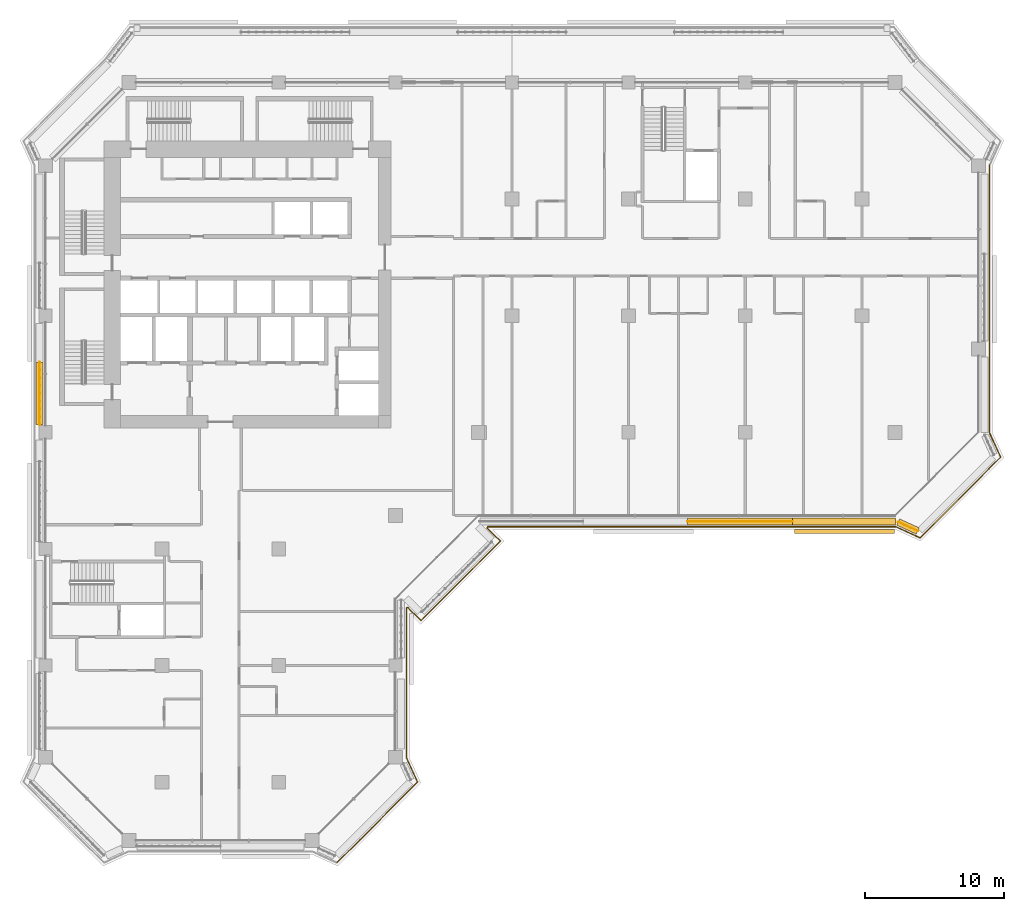
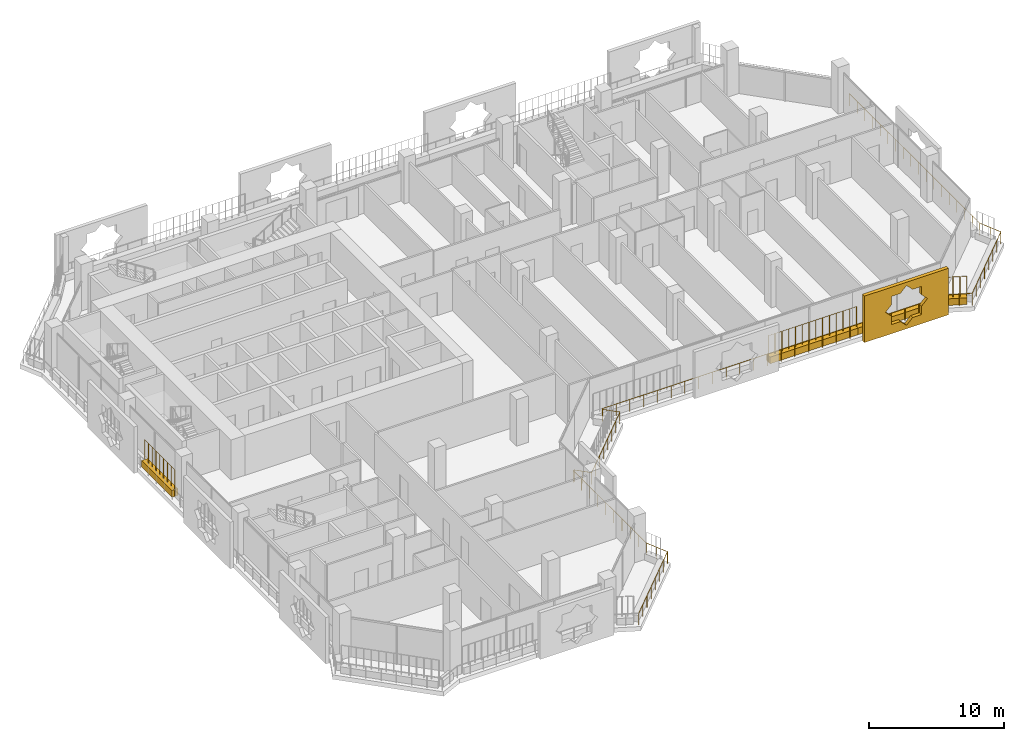
# One storey, part 19 of 22: 5 coverings, 4 railings.
"""IFC4 building model written with IfcOpenShell, lengths in metres."""

from ifc_helpers import new_model, si_unit, direction, frame, origin, origin_2d, place, context, subcontext, project, spatial, polyline, rectangle, circle, outline, extrude, material, material_profile, profile_set, type_object, element, save


model = new_model("IFC4")

# Units and contexts
model_context = context("Model", 3, precision=1e-05, world=origin(), true_north=direction((0.0, 1.0)))
body_context = subcontext(model_context, "Body", "Model", "MODEL_VIEW")
ifc_project = project(units=[si_unit("LENGTHUNIT", "METRE"), si_unit("AREAUNIT", "SQUARE_METRE"), si_unit("VOLUMEUNIT", "CUBIC_METRE"), si_unit("PLANEANGLEUNIT", "RADIAN"), si_unit("MASSUNIT", "GRAM", prefix="KILO")], contexts=[model_context])

# Site, building, storey
site_placement = place(None, origin())
site = spatial("IfcSite", under=ifc_project, at=site_placement, CompositionType="ELEMENT")
building_placement = place(site_placement, origin())
building = spatial("IfcBuilding", under=site, at=building_placement, Name="Kawkab Arch Medical Tower", CompositionType="ELEMENT")
storey_placement = place(building_placement, frame((0.0, 0.0, 196.199951171875)))
storey = spatial("IfcBuildingStorey", under=building, at=storey_placement, Name="L45", CompositionType="ELEMENT", Elevation=196.199951171875)

# Railing
ifc_material_1 = material(Name="Bronze anodised aluminium guard", Category="aluminium")
railing_type_1 = type_object("IfcRailingType", Name="Loggia and terrace guard 1100", PredefinedType="GUARDRAIL", material=ifc_material_1)
railing_1_placement = place(storey_placement, frame((68.0, -5.95703125, 0.0)))
element("IfcRailing", 1, at=railing_1_placement, inside=storey, type_object=railing_type_1, Name="Guard L45.LOG-01.1.2", PredefinedType="GUARDRAIL", context=body_context, shape_type="SweptSolid", body=[
    extrude(circle(Radius=0.02392578125, at=origin_2d()), frame((0.0, 0.0, 1.076171875), z_axis=(0.0, -1.0, 0.0), x_axis=(1.0, 0.0, 0.0)), (0.0, 0.0, 1.0), 19.285888671875),
    extrude(circle(Radius=0.02392578125, at=origin_2d()), frame((0.0, -19.285888671875, 1.076171875), z_axis=(0.414509773934, -0.910044860056, 0.0), x_axis=(0.910044860056, 0.414509773934, 0.0)), (0.0, 0.0, 1.0), 1.92529296875),
    extrude(circle(Radius=0.02392578125, at=origin_2d()), frame((0.798095703125, -21.0380859375, 1.076171875), z_axis=(-0.707106781187, -0.707106781187, 0.0), x_axis=(0.707106781187, -0.707106781187, 0.0)), (0.0, 0.0, 1.0), 8.20654296875),
    extrude(circle(Radius=0.02392578125, at=origin_2d()), frame((-5.0048828125, -26.841064453125, 1.076171875), z_axis=(-0.910044860056, 0.414509773934, 0.0), x_axis=(-0.414509773934, -0.910044860056, 0.0)), (0.0, 0.0, 1.0), 1.92529296875),
    extrude(circle(Radius=0.02392578125, at=origin_2d()), frame((-6.757080078125, -26.04296875, 1.076171875), z_axis=(-1.0, 0.0, 0.0), x_axis=(0.0, -1.0, 0.0)), (0.0, 0.0, 1.0), 29.392822265625),
    extrude(circle(Radius=0.02392578125, at=origin_2d()), frame((-36.14990234375, -26.04296875, 1.076171875), z_axis=(-0.383763674343, -0.923431341387, 0.0), x_axis=(0.923431341387, -0.383763674343, 0.0)), (0.0, 0.0, 1.0), 0.101806640625),
    extrude(circle(Radius=0.02392578125, at=origin_2d()), frame((-36.18896484375, -26.136962890625, 1.076171875), z_axis=(0.707015335112, -0.707198215437, 0.0), x_axis=(0.707198215437, 0.707015335112, 0.0)), (0.0, 0.0, 1.0), 1.3349609375),
    extrude(circle(Radius=0.02392578125, at=origin_2d()), frame((-35.2451171875, -27.0810546875, 1.076171875), z_axis=(-0.707106781187, -0.707106781187, 0.0), x_axis=(0.707106781187, -0.707106781187, 0.0)), (0.0, 0.0, 1.0), 8.084716796875),
    extrude(circle(Radius=0.02392578125, at=origin_2d()), frame((-40.9619140625, -32.7978515625, 1.076171875), z_axis=(-0.707198215437, 0.707015335112, 0.0), x_axis=(-0.707015335112, -0.707198215437, 0.0)), (0.0, 0.0, 1.0), 1.3349609375),
    extrude(circle(Radius=0.02392578125, at=origin_2d()), frame((-41.906005859375, -31.85400390625, 1.076171875), z_axis=(-0.923431341387, -0.383763674343, 0.0), x_axis=(0.383763674343, -0.923431341387, 0.0)), (0.0, 0.0, 1.0), 0.101806640625),
    extrude(circle(Radius=0.02392578125, at=origin_2d()), frame((-42.0, -31.89306640625, 1.076171875), z_axis=(0.0, -1.0, 0.0), x_axis=(1.0, 0.0, 0.0)), (0.0, 0.0, 1.0), 10.79296875),
    extrude(circle(Radius=0.02392578125, at=origin_2d()), frame((-42.0, -42.68603515625, 1.076171875), z_axis=(0.414557610759, -0.910023069687, 0.0), x_axis=(0.910023069687, 0.414557610759, 0.0)), (0.0, 0.0, 1.0), 1.92529296875),
    extrude(circle(Radius=0.02392578125, at=origin_2d()), frame((-41.201904296875, -44.43798828125, 1.076171875), z_axis=(-0.707106781187, -0.707106781187, 0.0), x_axis=(0.707106781187, -0.707106781187, 0.0)), (0.0, 0.0, 1.0), 8.20654296875),
    extrude(circle(Radius=0.02099609375, at=origin_2d()), origin(), (0.0, 0.0, 1.0), 1.052001953125),
    extrude(circle(Radius=0.02099609375, at=origin_2d()), frame((0.0, -1.134521484375, 0.0)), (0.0, 0.0, 1.0), 1.052001953125),
    extrude(circle(Radius=0.02099609375, at=origin_2d()), frame((0.0, -2.26904296875, 0.0)), (0.0, 0.0, 1.0), 1.052001953125),
    extrude(circle(Radius=0.02099609375, at=origin_2d()), frame((0.0, -3.4033203125, 0.0)), (0.0, 0.0, 1.0), 1.052001953125),
    extrude(circle(Radius=0.02099609375, at=origin_2d()), frame((0.0, -4.537841796875, 0.0)), (0.0, 0.0, 1.0), 1.052001953125),
    extrude(circle(Radius=0.02099609375, at=origin_2d()), frame((0.0, -5.67236328125, 0.0)), (0.0, 0.0, 1.0), 1.052001953125),
    extrude(circle(Radius=0.02099609375, at=origin_2d()), frame((0.0, -6.806884765625, 0.0)), (0.0, 0.0, 1.0), 1.052001953125),
    extrude(circle(Radius=0.02099609375, at=origin_2d()), frame((0.0, -7.941162109375, 0.0)), (0.0, 0.0, 1.0), 1.052001953125),
    extrude(circle(Radius=0.02099609375, at=origin_2d()), frame((0.0, -9.07568359375, 0.0)), (0.0, 0.0, 1.0), 1.052001953125),
    extrude(circle(Radius=0.02099609375, at=origin_2d()), frame((0.0, -10.210205078125, 0.0)), (0.0, 0.0, 1.0), 1.052001953125),
    extrude(circle(Radius=0.02099609375, at=origin_2d()), frame((0.0, -11.3447265625, 0.0)), (0.0, 0.0, 1.0), 1.052001953125),
    extrude(circle(Radius=0.02099609375, at=origin_2d()), frame((0.0, -12.47900390625, 0.0)), (0.0, 0.0, 1.0), 1.052001953125),
    extrude(circle(Radius=0.02099609375, at=origin_2d()), frame((0.0, -13.613525390625, 0.0)), (0.0, 0.0, 1.0), 1.052001953125),
    extrude(circle(Radius=0.02099609375, at=origin_2d()), frame((0.0, -14.748046875, 0.0)), (0.0, 0.0, 1.0), 1.052001953125),
    extrude(circle(Radius=0.02099609375, at=origin_2d()), frame((0.0, -15.882568359375, 0.0)), (0.0, 0.0, 1.0), 1.052001953125),
    extrude(circle(Radius=0.02099609375, at=origin_2d()), frame((0.0, -17.016845703125, 0.0)), (0.0, 0.0, 1.0), 1.052001953125),
    extrude(circle(Radius=0.02099609375, at=origin_2d()), frame((0.0, -18.1513671875, 0.0)), (0.0, 0.0, 1.0), 1.052001953125),
    extrude(circle(Radius=0.02099609375, at=origin_2d()), frame((0.0, -19.285888671875, 0.0)), (0.0, 0.0, 1.0), 1.052001953125),
    extrude(circle(Radius=0.02099609375, at=origin_2d()), frame((0.39892578125, -20.162109375, 0.0)), (0.0, 0.0, 1.0), 1.052001953125),
    extrude(circle(Radius=0.02099609375, at=origin_2d()), frame((0.798095703125, -21.0380859375, 0.0)), (0.0, 0.0, 1.0), 1.052001953125),
    extrude(circle(Radius=0.02099609375, at=origin_2d()), frame((-0.031005859375, -21.8671875, 0.0)), (0.0, 0.0, 1.0), 1.052001953125),
    extrude(circle(Radius=0.02099609375, at=origin_2d()), frame((-0.85986328125, -22.696044921875, 0.0)), (0.0, 0.0, 1.0), 1.052001953125),
    extrude(circle(Radius=0.02099609375, at=origin_2d()), frame((-1.68896484375, -23.525146484375, 0.0)), (0.0, 0.0, 1.0), 1.052001953125),
    extrude(circle(Radius=0.02099609375, at=origin_2d()), frame((-2.517822265625, -24.35400390625, 0.0)), (0.0, 0.0, 1.0), 1.052001953125),
    extrude(circle(Radius=0.02099609375, at=origin_2d()), frame((-3.346923828125, -25.18310546875, 0.0)), (0.0, 0.0, 1.0), 1.052001953125),
    extrude(circle(Radius=0.02099609375, at=origin_2d()), frame((-4.17578125, -26.011962890625, 0.0)), (0.0, 0.0, 1.0), 1.052001953125),
    extrude(circle(Radius=0.02099609375, at=origin_2d()), frame((-5.0048828125, -26.841064453125, 0.0)), (0.0, 0.0, 1.0), 1.052001953125),
    extrude(circle(Radius=0.02099609375, at=origin_2d()), frame((-5.880859375, -26.44189453125, 0.0)), (0.0, 0.0, 1.0), 1.052001953125),
    extrude(circle(Radius=0.02099609375, at=origin_2d()), frame((-6.757080078125, -26.04296875, 0.0)), (0.0, 0.0, 1.0), 1.052001953125),
    extrude(circle(Radius=0.02099609375, at=origin_2d()), frame((-7.932861328125, -26.04296875, 0.0)), (0.0, 0.0, 1.0), 1.052001953125),
    extrude(circle(Radius=0.02099609375, at=origin_2d()), frame((-9.1083984375, -26.04296875, 0.0)), (0.0, 0.0, 1.0), 1.052001953125),
    extrude(circle(Radius=0.02099609375, at=origin_2d()), frame((-10.2841796875, -26.04296875, 0.0)), (0.0, 0.0, 1.0), 1.052001953125),
    extrude(circle(Radius=0.02099609375, at=origin_2d()), frame((-11.4599609375, -26.04296875, 0.0)), (0.0, 0.0, 1.0), 1.052001953125),
    extrude(circle(Radius=0.02099609375, at=origin_2d()), frame((-12.6357421875, -26.04296875, 0.0)), (0.0, 0.0, 1.0), 1.052001953125),
    extrude(circle(Radius=0.02099609375, at=origin_2d()), frame((-13.811279296875, -26.04296875, 0.0)), (0.0, 0.0, 1.0), 1.052001953125),
    extrude(circle(Radius=0.02099609375, at=origin_2d()), frame((-14.987060546875, -26.04296875, 0.0)), (0.0, 0.0, 1.0), 1.052001953125),
    extrude(circle(Radius=0.02099609375, at=origin_2d()), frame((-16.162841796875, -26.04296875, 0.0)), (0.0, 0.0, 1.0), 1.052001953125),
    extrude(circle(Radius=0.02099609375, at=origin_2d()), frame((-17.33837890625, -26.04296875, 0.0)), (0.0, 0.0, 1.0), 1.052001953125),
    extrude(circle(Radius=0.02099609375, at=origin_2d()), frame((-18.51416015625, -26.04296875, 0.0)), (0.0, 0.0, 1.0), 1.052001953125),
    extrude(circle(Radius=0.02099609375, at=origin_2d()), frame((-19.68994140625, -26.04296875, 0.0)), (0.0, 0.0, 1.0), 1.052001953125),
    extrude(circle(Radius=0.02099609375, at=origin_2d()), frame((-20.86572265625, -26.04296875, 0.0)), (0.0, 0.0, 1.0), 1.052001953125),
    extrude(circle(Radius=0.02099609375, at=origin_2d()), frame((-22.041259765625, -26.04296875, 0.0)), (0.0, 0.0, 1.0), 1.052001953125),
    extrude(circle(Radius=0.02099609375, at=origin_2d()), frame((-23.217041015625, -26.04296875, 0.0)), (0.0, 0.0, 1.0), 1.052001953125),
    extrude(circle(Radius=0.02099609375, at=origin_2d()), frame((-24.392822265625, -26.04296875, 0.0)), (0.0, 0.0, 1.0), 1.052001953125),
    extrude(circle(Radius=0.02099609375, at=origin_2d()), frame((-25.568603515625, -26.04296875, 0.0)), (0.0, 0.0, 1.0), 1.052001953125),
    extrude(circle(Radius=0.02099609375, at=origin_2d()), frame((-26.744140625, -26.04296875, 0.0)), (0.0, 0.0, 1.0), 1.052001953125),
    extrude(circle(Radius=0.02099609375, at=origin_2d()), frame((-27.919921875, -26.04296875, 0.0)), (0.0, 0.0, 1.0), 1.052001953125),
    extrude(circle(Radius=0.02099609375, at=origin_2d()), frame((-29.095703125, -26.04296875, 0.0)), (0.0, 0.0, 1.0), 1.052001953125),
    extrude(circle(Radius=0.02099609375, at=origin_2d()), frame((-30.271240234375, -26.04296875, 0.0)), (0.0, 0.0, 1.0), 1.052001953125),
    extrude(circle(Radius=0.02099609375, at=origin_2d()), frame((-31.447021484375, -26.04296875, 0.0)), (0.0, 0.0, 1.0), 1.052001953125),
    extrude(circle(Radius=0.02099609375, at=origin_2d()), frame((-32.622802734375, -26.04296875, 0.0)), (0.0, 0.0, 1.0), 1.052001953125),
    extrude(circle(Radius=0.02099609375, at=origin_2d()), frame((-33.798583984375, -26.04296875, 0.0)), (0.0, 0.0, 1.0), 1.052001953125),
    extrude(circle(Radius=0.02099609375, at=origin_2d()), frame((-34.97412109375, -26.04296875, 0.0)), (0.0, 0.0, 1.0), 1.052001953125),
    extrude(circle(Radius=0.02099609375, at=origin_2d()), frame((-36.14990234375, -26.04296875, 0.0)), (0.0, 0.0, 1.0), 1.052001953125),
    extrude(circle(Radius=0.02099609375, at=origin_2d()), frame((-36.18896484375, -26.136962890625, 0.0)), (0.0, 0.0, 1.0), 1.052001953125),
    extrude(circle(Radius=0.02099609375, at=origin_2d()), frame((-35.717041015625, -26.60888671875, 0.0)), (0.0, 0.0, 1.0), 1.052001953125),
    extrude(circle(Radius=0.02099609375, at=origin_2d()), frame((-35.2451171875, -27.0810546875, 0.0)), (0.0, 0.0, 1.0), 1.052001953125),
    extrude(circle(Radius=0.02099609375, at=origin_2d()), frame((-36.061767578125, -27.897705078125, 0.0)), (0.0, 0.0, 1.0), 1.052001953125),
    extrude(circle(Radius=0.02099609375, at=origin_2d()), frame((-36.87841796875, -28.71435546875, 0.0)), (0.0, 0.0, 1.0), 1.052001953125),
    extrude(circle(Radius=0.02099609375, at=origin_2d()), frame((-37.695068359375, -29.531005859375, 0.0)), (0.0, 0.0, 1.0), 1.052001953125),
    extrude(circle(Radius=0.02099609375, at=origin_2d()), frame((-38.511962890625, -30.347900390625, 0.0)), (0.0, 0.0, 1.0), 1.052001953125),
    extrude(circle(Radius=0.02099609375, at=origin_2d()), frame((-39.32861328125, -31.16455078125, 0.0)), (0.0, 0.0, 1.0), 1.052001953125),
    extrude(circle(Radius=0.02099609375, at=origin_2d()), frame((-40.145263671875, -31.981201171875, 0.0)), (0.0, 0.0, 1.0), 1.052001953125),
    extrude(circle(Radius=0.02099609375, at=origin_2d()), frame((-40.9619140625, -32.7978515625, 0.0)), (0.0, 0.0, 1.0), 1.052001953125),
    extrude(circle(Radius=0.02099609375, at=origin_2d()), frame((-41.43408203125, -32.325927734375, 0.0)), (0.0, 0.0, 1.0), 1.052001953125),
    extrude(circle(Radius=0.02099609375, at=origin_2d()), frame((-41.906005859375, -31.85400390625, 0.0)), (0.0, 0.0, 1.0), 1.052001953125),
    extrude(circle(Radius=0.02099609375, at=origin_2d()), frame((-42.0, -31.89306640625, 0.0)), (0.0, 0.0, 1.0), 1.052001953125),
    extrude(circle(Radius=0.02099609375, at=origin_2d()), frame((-42.0, -33.09228515625, 0.0)), (0.0, 0.0, 1.0), 1.052001953125),
    extrude(circle(Radius=0.02099609375, at=origin_2d()), frame((-42.0, -34.29150390625, 0.0)), (0.0, 0.0, 1.0), 1.052001953125),
    extrude(circle(Radius=0.02099609375, at=origin_2d()), frame((-42.0, -35.49072265625, 0.0)), (0.0, 0.0, 1.0), 1.052001953125),
    extrude(circle(Radius=0.02099609375, at=origin_2d()), frame((-42.0, -36.68994140625, 0.0)), (0.0, 0.0, 1.0), 1.052001953125),
    extrude(circle(Radius=0.02099609375, at=origin_2d()), frame((-42.0, -37.88916015625, 0.0)), (0.0, 0.0, 1.0), 1.052001953125),
    extrude(circle(Radius=0.02099609375, at=origin_2d()), frame((-42.0, -39.08837890625, 0.0)), (0.0, 0.0, 1.0), 1.052001953125),
    extrude(circle(Radius=0.02099609375, at=origin_2d()), frame((-42.0, -40.28759765625, 0.0)), (0.0, 0.0, 1.0), 1.052001953125),
    extrude(circle(Radius=0.02099609375, at=origin_2d()), frame((-42.0, -41.48681640625, 0.0)), (0.0, 0.0, 1.0), 1.052001953125),
    extrude(circle(Radius=0.02099609375, at=origin_2d()), frame((-42.0, -42.68603515625, 0.0)), (0.0, 0.0, 1.0), 1.052001953125),
    extrude(circle(Radius=0.02099609375, at=origin_2d()), frame((-41.60107421875, -43.56201171875, 0.0)), (0.0, 0.0, 1.0), 1.052001953125),
    extrude(circle(Radius=0.02099609375, at=origin_2d()), frame((-41.201904296875, -44.43798828125, 0.0)), (0.0, 0.0, 1.0), 1.052001953125),
    extrude(circle(Radius=0.02099609375, at=origin_2d()), frame((-42.031005859375, -45.26708984375, 0.0)), (0.0, 0.0, 1.0), 1.052001953125),
    extrude(circle(Radius=0.02099609375, at=origin_2d()), frame((-42.85986328125, -46.095947265625, 0.0)), (0.0, 0.0, 1.0), 1.052001953125),
    extrude(circle(Radius=0.02099609375, at=origin_2d()), frame((-43.68896484375, -46.925048828125, 0.0)), (0.0, 0.0, 1.0), 1.052001953125),
    extrude(circle(Radius=0.02099609375, at=origin_2d()), frame((-44.517822265625, -47.75390625, 0.0)), (0.0, 0.0, 1.0), 1.052001953125),
    extrude(circle(Radius=0.02099609375, at=origin_2d()), frame((-45.346923828125, -48.5830078125, 0.0)), (0.0, 0.0, 1.0), 1.052001953125),
    extrude(circle(Radius=0.02099609375, at=origin_2d()), frame((-46.17578125, -49.411865234375, 0.0)), (0.0, 0.0, 1.0), 1.052001953125),
    extrude(circle(Radius=0.02099609375, at=origin_2d()), frame((-47.0048828125, -50.240966796875, 0.0)), (0.0, 0.0, 1.0), 1.052001953125),
])

# Coverings
ifc_material_2 = material(Name="Bronze anodised aluminium mashrabiya panel, eight-point star pattern", Category="aluminium")
ifc_material_profile_1 = material_profile(ifc_material_2, outline(polyline([(-3.60009765625, -2.10009765625), (3.60009765625, -2.10009765625), (3.60009765625, 2.10009765625), (-3.60009765625, 2.10009765625), (-3.60009765625, -2.10009765625)]), holes=[polyline([(1.800048828125, 0.0), (1.272705078125, 0.527099609375), (1.272705078125, 1.272705078125), (0.527099609375, 1.272705078125), (0.0, 1.800048828125), (-0.527099609375, 1.272705078125), (-1.272705078125, 1.272705078125), (-1.272705078125, 0.527099609375), (-1.800048828125, 0.0), (-1.272705078125, -0.527099609375), (-1.272705078125, -1.272705078125), (-0.527099609375, -1.272705078125), (0.0, -1.800048828125), (0.527099609375, -1.272705078125), (1.272705078125, -1.272705078125), (1.272705078125, -0.527099609375), (1.800048828125, 0.0)])]), Name="Mashrabiya panel 7200x4200")
ifc_profile_set_1 = profile_set([ifc_material_profile_1], Name="Bronze anodised aluminium mashrabiya panel, eight-point star pattern")
covering_type_1 = type_object("IfcCoveringType", Name="Mashrabiya panel 7200 x 4200", PredefinedType="USERDEFINED", material=ifc_profile_set_1)
covering_1_placement = place(storey_placement, frame((57.5546875, -32.199951171875, 1.699951171875), z_axis=(0.0, -1.0, 0.0), x_axis=(1.0, 0.0, 0.0)))
element("IfcCovering", 2, at=covering_1_placement, inside=storey, type_object=covering_type_1, Name="Mashrabiya panel L45.LOG-01-01.10", ObjectType="SCREEN", PredefinedType="USERDEFINED", context=body_context, shape_type="SweptSolid", body=[
    extrude(outline(polyline([(-3.60009765625, -2.10009765625), (3.60009765625, -2.10009765625), (3.60009765625, 2.10009765625), (-3.60009765625, 2.10009765625), (-3.60009765625, -2.10009765625)]), holes=[polyline([(1.800048828125, 0.0), (1.272705078125, 0.527099609375), (1.272705078125, 1.272705078125), (0.527099609375, 1.272705078125), (0.0, 1.800048828125), (-0.527099609375, 1.272705078125), (-1.272705078125, 1.272705078125), (-1.272705078125, 0.527099609375), (-1.800048828125, 0.0), (-1.272705078125, -0.527099609375), (-1.272705078125, -1.272705078125), (-0.527099609375, -1.272705078125), (0.0, -1.800048828125), (0.527099609375, -1.272705078125), (1.272705078125, -1.272705078125), (1.272705078125, -0.527099609375), (1.800048828125, 0.0)])]), origin(), (0.0, 0.0, 1.0), 0.300048828125),
])
ifc_material_3 = material(Name="Planting soil in a precast trough", Category="concrete")
ifc_material_profile_2 = material_profile(ifc_material_3, rectangle(XDim=0.5, YDim=0.60009765625, at=origin_2d()), Name="Trough 500x600")
ifc_profile_set_2 = profile_set([ifc_material_profile_2], Name="Planting soil in a precast trough")
covering_type_2 = type_object("IfcCoveringType", Name="Planter trough 500 x 600", PredefinedType="USERDEFINED", material=ifc_profile_set_2)
covering_2_placement = place(storey_placement, frame((-0.419921875, -24.64501953125, 0.300048828125), z_axis=(0.0, 1.0, 0.0), x_axis=(-1.0, 0.0, 0.0)))
element("IfcCovering", 3, at=covering_2_placement, inside=storey, type_object=covering_type_2, Name="Planter L45.LOG-01-01.11", ObjectType="PLANTER", PredefinedType="USERDEFINED", context=body_context, shape_type="SweptSolid", body=[
    extrude(rectangle(XDim=0.5, YDim=0.60009765625, at=origin_2d()), origin(), (0.0, 0.0, 1.0), 4.487060546875),
])
covering_3_placement = place(storey_placement, frame((62.821044921875, -32.302001953125, 0.300048828125), z_axis=(-0.909655525109, 0.415363486165, 0.0), x_axis=(-0.415363486165, -0.909655525109, 0.0)))
element("IfcCovering", 4, at=covering_3_placement, inside=storey, type_object=covering_type_2, Name="Planter L45.LOG-01-01.33", ObjectType="PLANTER", PredefinedType="USERDEFINED", context=body_context, shape_type="SweptSolid", body=[
    extrude(rectangle(XDim=0.5, YDim=0.60009765625, at=origin_2d()), origin(), (0.0, 0.0, 1.0), 1.54345703125),
])
covering_4_placement = place(storey_placement, frame((61.22607421875, -31.6201171875, 0.300048828125), z_axis=(-1.0, 0.0, 0.0), x_axis=(0.0, -1.0, 0.0)))
element("IfcCovering", 5, at=covering_4_placement, inside=storey, type_object=covering_type_2, Name="Planter L45.LOG-01-01.34", ObjectType="PLANTER", PredefinedType="USERDEFINED", context=body_context, shape_type="SweptSolid", body=[
    extrude(rectangle(XDim=0.5, YDim=0.60009765625, at=origin_2d()), origin(), (0.0, 0.0, 1.0), 7.43505859375),
])
covering_5_placement = place(storey_placement, frame((53.791015625, -31.6201171875, 0.300048828125), z_axis=(-1.0, 0.0, 0.0), x_axis=(0.0, -1.0, 0.0)))
element("IfcCovering", 6, at=covering_5_placement, inside=storey, type_object=covering_type_2, Name="Planter L45.LOG-01-01.35", ObjectType="PLANTER", PredefinedType="USERDEFINED", context=body_context, shape_type="SweptSolid", body=[
    extrude(rectangle(XDim=0.5, YDim=0.60009765625, at=origin_2d()), origin(), (0.0, 0.0, 1.0), 7.5361328125),
])

# Railings
ifc_material_4 = material(Name="Bronze anodised aluminium trellis for climbing plants", Category="aluminium")
railing_type_2 = type_object("IfcRailingType", Name="Planting trellis 2400", PredefinedType="USERDEFINED", material=ifc_material_4)
railing_2_placement = place(storey_placement, frame((-0.419921875, -24.64501953125, 0.0)))
element("IfcRailing", 7, at=railing_2_placement, inside=storey, type_object=railing_type_2, Name="Planting trellis L45.LOG-01-01.11", ObjectType="TRELLIS", PredefinedType="USERDEFINED", context=body_context, shape_type="SweptSolid", body=[
    extrude(circle(Radius=0.01513671875, at=origin_2d()), frame((0.0, 0.0, 2.384765625), z_axis=(0.0, 1.0, 0.0), x_axis=(-1.0, 0.0, 0.0)), (0.0, 0.0, 1.0), 4.487060546875),
    extrude(circle(Radius=0.030029296875, at=origin_2d()), origin(), (0.0, 0.0, 1.0), 2.369873046875),
    extrude(circle(Radius=0.030029296875, at=origin_2d()), frame((0.0, 0.560791015625, 0.0)), (0.0, 0.0, 1.0), 2.369873046875),
    extrude(circle(Radius=0.030029296875, at=origin_2d()), frame((0.0, 1.121826171875, 0.0)), (0.0, 0.0, 1.0), 2.369873046875),
    extrude(circle(Radius=0.030029296875, at=origin_2d()), frame((0.0, 1.6826171875, 0.0)), (0.0, 0.0, 1.0), 2.369873046875),
    extrude(circle(Radius=0.030029296875, at=origin_2d()), frame((0.0, 2.24365234375, 0.0)), (0.0, 0.0, 1.0), 2.369873046875),
    extrude(circle(Radius=0.030029296875, at=origin_2d()), frame((0.0, 2.804443359375, 0.0)), (0.0, 0.0, 1.0), 2.369873046875),
    extrude(circle(Radius=0.030029296875, at=origin_2d()), frame((0.0, 3.365234375, 0.0)), (0.0, 0.0, 1.0), 2.369873046875),
    extrude(circle(Radius=0.030029296875, at=origin_2d()), frame((0.0, 3.92626953125, 0.0)), (0.0, 0.0, 1.0), 2.369873046875),
    extrude(circle(Radius=0.030029296875, at=origin_2d()), frame((0.0, 4.487060546875, 0.0)), (0.0, 0.0, 1.0), 2.369873046875),
])
railing_3_placement = place(storey_placement, frame((62.821044921875, -32.302001953125, 0.0)))
element("IfcRailing", 8, at=railing_3_placement, inside=storey, type_object=railing_type_2, Name="Planting trellis L45.LOG-01-01.33", ObjectType="TRELLIS", PredefinedType="USERDEFINED", context=body_context, shape_type="SweptSolid", body=[
    extrude(circle(Radius=0.01513671875, at=origin_2d()), frame((0.0, 0.0, 2.384765625), z_axis=(-0.909655525109, 0.415363486165, 0.0), x_axis=(-0.415363486165, -0.909655525109, 0.0)), (0.0, 0.0, 1.0), 1.54345703125),
    extrude(circle(Radius=0.030029296875, at=origin_2d()), origin(), (0.0, 0.0, 1.0), 2.369873046875),
    extrude(circle(Radius=0.030029296875, at=origin_2d()), frame((-0.468017578125, 0.213623046875, 0.0)), (0.0, 0.0, 1.0), 2.369873046875),
    extrude(circle(Radius=0.030029296875, at=origin_2d()), frame((-0.93603515625, 0.427490234375, 0.0)), (0.0, 0.0, 1.0), 2.369873046875),
    extrude(circle(Radius=0.030029296875, at=origin_2d()), frame((-1.404052734375, 0.64111328125, 0.0)), (0.0, 0.0, 1.0), 2.369873046875),
])
railing_4_placement = place(storey_placement, frame((53.791015625, -31.6201171875, 0.0)))
element("IfcRailing", 9, at=railing_4_placement, inside=storey, type_object=railing_type_2, Name="Planting trellis L45.LOG-01-01.35", ObjectType="TRELLIS", PredefinedType="USERDEFINED", context=body_context, shape_type="SweptSolid", body=[
    extrude(circle(Radius=0.01513671875, at=origin_2d()), frame((0.0, 0.0, 2.384765625), z_axis=(-1.0, 0.0, 0.0), x_axis=(0.0, -1.0, 0.0)), (0.0, 0.0, 1.0), 7.5361328125),
    extrude(circle(Radius=0.030029296875, at=origin_2d()), origin(), (0.0, 0.0, 1.0), 2.369873046875),
    extrude(circle(Radius=0.030029296875, at=origin_2d()), frame((-0.57958984375, 0.0, 0.0)), (0.0, 0.0, 1.0), 2.369873046875),
    extrude(circle(Radius=0.030029296875, at=origin_2d()), frame((-1.159423828125, 0.0, 0.0)), (0.0, 0.0, 1.0), 2.369873046875),
    extrude(circle(Radius=0.030029296875, at=origin_2d()), frame((-1.739013671875, 0.0, 0.0)), (0.0, 0.0, 1.0), 2.369873046875),
    extrude(circle(Radius=0.030029296875, at=origin_2d()), frame((-2.31884765625, 0.0, 0.0)), (0.0, 0.0, 1.0), 2.369873046875),
    extrude(circle(Radius=0.030029296875, at=origin_2d()), frame((-2.8984375, 0.0, 0.0)), (0.0, 0.0, 1.0), 2.369873046875),
    extrude(circle(Radius=0.030029296875, at=origin_2d()), frame((-3.478271484375, 0.0, 0.0)), (0.0, 0.0, 1.0), 2.369873046875),
    extrude(circle(Radius=0.030029296875, at=origin_2d()), frame((-4.057861328125, 0.0, 0.0)), (0.0, 0.0, 1.0), 2.369873046875),
    extrude(circle(Radius=0.030029296875, at=origin_2d()), frame((-4.6376953125, 0.0, 0.0)), (0.0, 0.0, 1.0), 2.369873046875),
    extrude(circle(Radius=0.030029296875, at=origin_2d()), frame((-5.21728515625, 0.0, 0.0)), (0.0, 0.0, 1.0), 2.369873046875),
    extrude(circle(Radius=0.030029296875, at=origin_2d()), frame((-5.797119140625, 0.0, 0.0)), (0.0, 0.0, 1.0), 2.369873046875),
    extrude(circle(Radius=0.030029296875, at=origin_2d()), frame((-6.376708984375, 0.0, 0.0)), (0.0, 0.0, 1.0), 2.369873046875),
    extrude(circle(Radius=0.030029296875, at=origin_2d()), frame((-6.95654296875, 0.0, 0.0)), (0.0, 0.0, 1.0), 2.369873046875),
    extrude(circle(Radius=0.030029296875, at=origin_2d()), frame((-7.5361328125, 0.0, 0.0)), (0.0, 0.0, 1.0), 2.369873046875),
])

save(model, "model.ifc")
